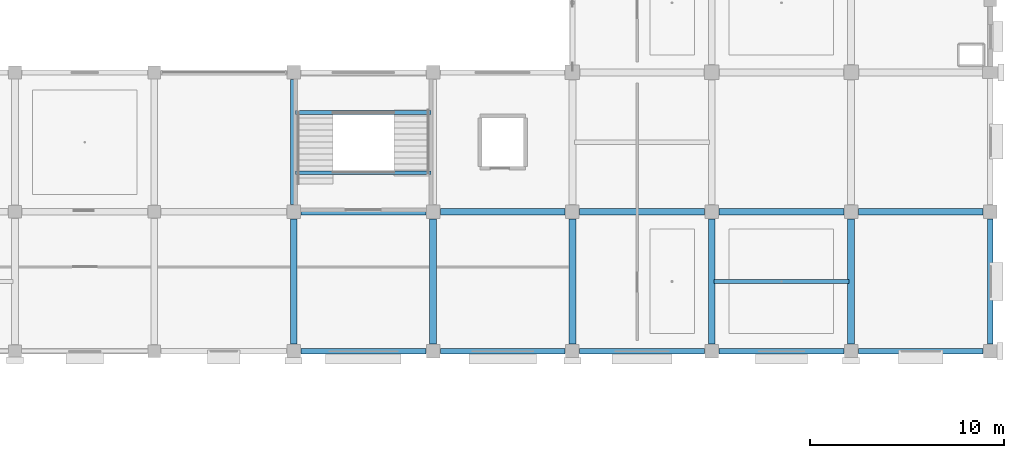
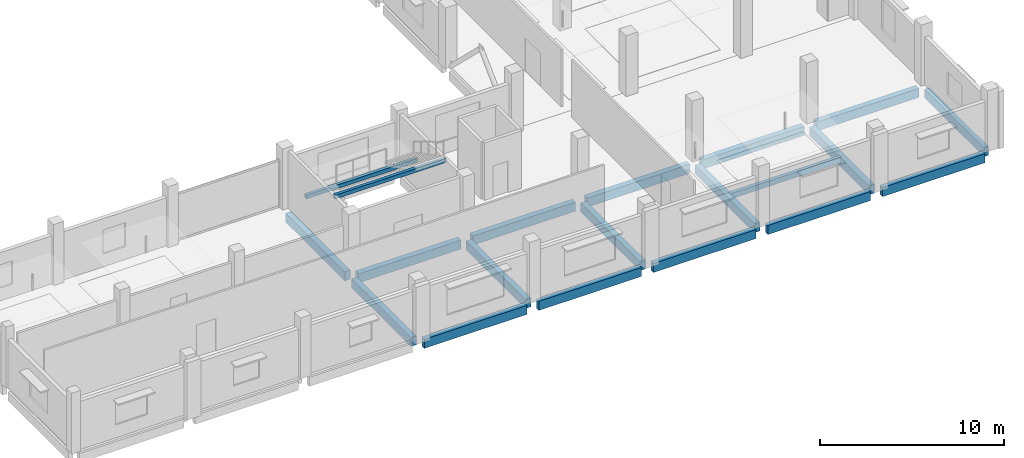
# One storey, part 42 of 108: 20 beams.
"""IFC4 building model written with IfcOpenShell, lengths in metres."""

from ifc_helpers import new_model, si_unit, direction, frame, origin, origin_2d, place, context, subcontext, project, spatial, rectangle, extrude, material, material_profile, profile_set, type_object, element, save


model = new_model("IFC4")

# Units and contexts
model_context = context("Model", 3, precision=1e-05, world=origin(), true_north=direction((0.0, 1.0)))
body_context = subcontext(model_context, "Body", "Model", "MODEL_VIEW")
ifc_project = project(units=[si_unit("LENGTHUNIT", "METRE"), si_unit("AREAUNIT", "SQUARE_METRE"), si_unit("VOLUMEUNIT", "CUBIC_METRE"), si_unit("PLANEANGLEUNIT", "RADIAN"), si_unit("MASSUNIT", "GRAM", prefix="KILO")], contexts=[model_context])

# Site, building, storey
site_placement = place(None, origin())
site = spatial("IfcSite", under=ifc_project, at=site_placement, CompositionType="ELEMENT")
building_placement = place(site_placement, origin())
building = spatial("IfcBuilding", under=site, at=building_placement, Name="Kangsadwip Square Police Headquarters", CompositionType="ELEMENT")
storey_placement = place(building_placement, frame((0.0, 0.0, 9.449951171875)))
storey = spatial("IfcBuildingStorey", under=building, at=storey_placement, Name="L02", CompositionType="ELEMENT", Elevation=9.449951171875)

# Beams
ifc_material_1 = material(Name="Concrete M35 (35 MPa)", Category="concrete")
ifc_material_profile_1 = material_profile(ifc_material_1, rectangle(XDim=0.35009765625, YDim=0.60009765625, at=origin_2d()), Name="RC BM 600X350")
ifc_profile_set_1 = profile_set([ifc_material_profile_1], Name="Concrete M35 (35 MPa)")
beam_type_1 = type_object("IfcBeamType", Name="RcBeam600x350", PredefinedType="BEAM", material=ifc_profile_set_1)
for number, where, z_axis, x_axis, name in (
    (1, (129.97509765625, 28.800048828125, -0.5400390625), (1.0, 0.0, 0.0), (0.0, 1.0, 0.0), "Beam BM-L02-X-18-04"),
    (2, (137.175048828125, 28.800048828125, -0.5400390625), (1.0, 0.0, 0.0), (0.0, 1.0, 0.0), "Beam BM-L02-X-19-04"),
    (3, (144.375, 28.800048828125, -0.5400390625), (1.0, 0.0, 0.0), (0.0, 1.0, 0.0), "Beam BM-L02-X-20-04"),
    (4, (151.574951171875, 28.800048828125, -0.5400390625), (1.0, 0.0, 0.0), (0.0, 1.0, 0.0), "Beam BM-L02-X-21-04"),
):
    element("IfcBeam", number, at=place(storey_placement, frame(where, z_axis=z_axis, x_axis=x_axis)), inside=storey, type_object=beam_type_1, Name=name, PredefinedType="BEAM", context=body_context, shape_type="SweptSolid", body=[
        extrude(rectangle(XDim=0.35009765625, YDim=0.60009765625, at=origin_2d()), origin(), (0.0, 0.0, 1.0), 6.449951171875),
    ])
beam_1_placement = place(storey_placement, frame((158.77490234375, 28.800048828125, -0.5400390625), z_axis=(1.0, 0.0, 0.0), x_axis=(0.0, 1.0, 0.0)))
element("IfcBeam", 5, at=beam_1_placement, inside=storey, type_object=beam_type_1, Name="Beam BM-L02-X-22-04", PredefinedType="BEAM", context=body_context, shape_type="SweptSolid", body=[
    extrude(rectangle(XDim=0.35009765625, YDim=0.60009765625, at=origin_2d()), origin(), (0.0, 0.0, 1.0), 6.4501953125),
])
for number, where, z_axis, x_axis, name in (
    (6, (129.60009765625, 21.97509765625, -0.5400390625), (0.0, 1.0, 0.0), (-1.0, 0.0, 0.0), "Beam BM-L02-Y-18-03"),
    (7, (129.60009765625, 29.175048828125, -0.5400390625), (0.0, 1.0, 0.0), (-1.0, 0.0, 0.0), "Beam BM-L02-Y-18-04"),
    (8, (136.800048828125, 21.97509765625, -0.5400390625), (0.0, 1.0, 0.0), (-1.0, 0.0, 0.0), "Beam BM-L02-Y-19-03"),
    (9, (144.0, 21.97509765625, -0.5400390625), (0.0, 1.0, 0.0), (-1.0, 0.0, 0.0), "Beam BM-L02-Y-20-03"),
    (10, (151.199951171875, 21.97509765625, -0.5400390625), (0.0, 1.0, 0.0), (-1.0, 0.0, 0.0), "Beam BM-L02-Y-21-03"),
    (11, (158.39990234375, 21.97509765625, -0.5400390625), (0.0, 1.0, 0.0), (-1.0, 0.0, 0.0), "Beam BM-L02-Y-22-03"),
):
    element("IfcBeam", number, at=place(storey_placement, frame(where, z_axis=z_axis, x_axis=x_axis)), inside=storey, type_object=beam_type_1, Name=name, PredefinedType="BEAM", context=body_context, shape_type="SweptSolid", body=[
        extrude(rectangle(XDim=0.35009765625, YDim=0.60009765625, at=origin_2d()), origin(), (0.0, 0.0, 1.0), 6.449951171875),
    ])
ifc_material_2 = material(Name="Concrete M35 (35 MPa)", Category="concrete")
ifc_material_profile_2 = material_profile(ifc_material_2, rectangle(XDim=0.22998046875, YDim=0.35009765625, at=origin_2d()), Name="RC JST 350X230")
ifc_profile_set_2 = profile_set([ifc_material_profile_2], Name="Concrete M35 (35 MPa)")
beam_type_2 = type_object("IfcBeamType", Name="RcJoist350x230", PredefinedType="JOIST", material=ifc_profile_set_2)
beam_2_placement = place(storey_placement, frame((151.31005859375, 25.199951171875, -0.4150390625), z_axis=(1.0, 0.0, 0.0), x_axis=(0.0, 1.0, 0.0)))
element("IfcBeam", 12, at=beam_2_placement, inside=storey, type_object=beam_type_2, Name="Secondary Joist JST-L02-21-03", PredefinedType="JOIST", context=body_context, shape_type="SweptSolid", body=[
    extrude(rectangle(XDim=0.22998046875, YDim=0.35009765625, at=origin_2d()), origin(), (0.0, 0.0, 1.0), 6.97998046875),
])
ifc_material_3 = material(Name="Concrete M30 (30 MPa)", Category="concrete")
ifc_material_profile_3 = material_profile(ifc_material_3, rectangle(XDim=0.199951171875, YDim=0.25, at=origin_2d()), Name="RC LNT 250X200")
ifc_profile_set_3 = profile_set([ifc_material_profile_3], Name="Concrete M30 (30 MPa)")
beam_type_3 = type_object("IfcBeamType", Name="RcLintel250x200", PredefinedType="LINTEL", material=ifc_profile_set_3)
for number, where, z_axis, x_axis, name in (
    (13, (129.699951171875, 33.93994140625, 1.801025390625), (1.0, 0.0, 0.0), (0.0, 1.0, 0.0), "Stair Carriage and Landing Beam BM-ST-L02-083"),
    (14, (129.699951171875, 30.820068359375, 3.68505859375), (1.0, 0.0, 0.0), (0.0, 1.0, 0.0), "Stair Carriage and Landing Beam BM-ST-L02-084"),
):
    element("IfcBeam", number, at=place(storey_placement, frame(where, z_axis=z_axis, x_axis=x_axis)), inside=storey, type_object=beam_type_3, Name=name, PredefinedType="BEAM", context=body_context, shape_type="SweptSolid", body=[
        extrude(rectangle(XDim=0.199951171875, YDim=0.25, at=origin_2d()), origin(), (0.0, 0.0, 1.0), 7.0),
    ])
ifc_material_4 = material(Name="Concrete M40 (40 MPa)", Category="concrete")
ifc_material_profile_4 = material_profile(ifc_material_4, rectangle(XDim=0.280029296875, YDim=0.60009765625, at=origin_2d()), Name="RC SPN 600X280")
ifc_profile_set_4 = profile_set([ifc_material_profile_4], Name="Concrete M40 (40 MPa)")
beam_type_4 = type_object("IfcBeamType", Name="RcSpandrel600x280", PredefinedType="SPANDREL", material=ifc_profile_set_4)
for number, where, z_axis, x_axis, name in (
    (15, (129.97509765625, 21.60009765625, -0.5400390625), (1.0, 0.0, 0.0), (0.0, 1.0, 0.0), "Beam BM-L02-X-18-03"),
    (16, (137.175048828125, 21.60009765625, -0.5400390625), (1.0, 0.0, 0.0), (0.0, 1.0, 0.0), "Beam BM-L02-X-19-03"),
    (17, (144.375, 21.60009765625, -0.5400390625), (1.0, 0.0, 0.0), (0.0, 1.0, 0.0), "Beam BM-L02-X-20-03"),
    (18, (151.574951171875, 21.60009765625, -0.5400390625), (1.0, 0.0, 0.0), (0.0, 1.0, 0.0), "Beam BM-L02-X-21-03"),
):
    element("IfcBeam", number, at=place(storey_placement, frame(where, z_axis=z_axis, x_axis=x_axis)), inside=storey, type_object=beam_type_4, Name=name, PredefinedType="SPANDREL", context=body_context, shape_type="SweptSolid", body=[
        extrude(rectangle(XDim=0.280029296875, YDim=0.60009765625, at=origin_2d()), origin(), (0.0, 0.0, 1.0), 6.449951171875),
    ])
beam_3_placement = place(storey_placement, frame((158.77490234375, 21.60009765625, -0.5400390625), z_axis=(1.0, 0.0, 0.0), x_axis=(0.0, 1.0, 0.0)))
element("IfcBeam", 19, at=beam_3_placement, inside=storey, type_object=beam_type_4, Name="Beam BM-L02-X-22-03", PredefinedType="SPANDREL", context=body_context, shape_type="SweptSolid", body=[
    extrude(rectangle(XDim=0.280029296875, YDim=0.60009765625, at=origin_2d()), origin(), (0.0, 0.0, 1.0), 6.4501953125),
])
beam_4_placement = place(storey_placement, frame((165.60009765625, 21.97509765625, -0.5400390625), z_axis=(0.0, 1.0, 0.0), x_axis=(-1.0, 0.0, 0.0)))
element("IfcBeam", 20, at=beam_4_placement, inside=storey, type_object=beam_type_4, Name="Beam BM-L02-Y-23-03", PredefinedType="SPANDREL", context=body_context, shape_type="SweptSolid", body=[
    extrude(rectangle(XDim=0.280029296875, YDim=0.60009765625, at=origin_2d()), origin(), (0.0, 0.0, 1.0), 6.449951171875),
])

save(model, "model.ifc")
